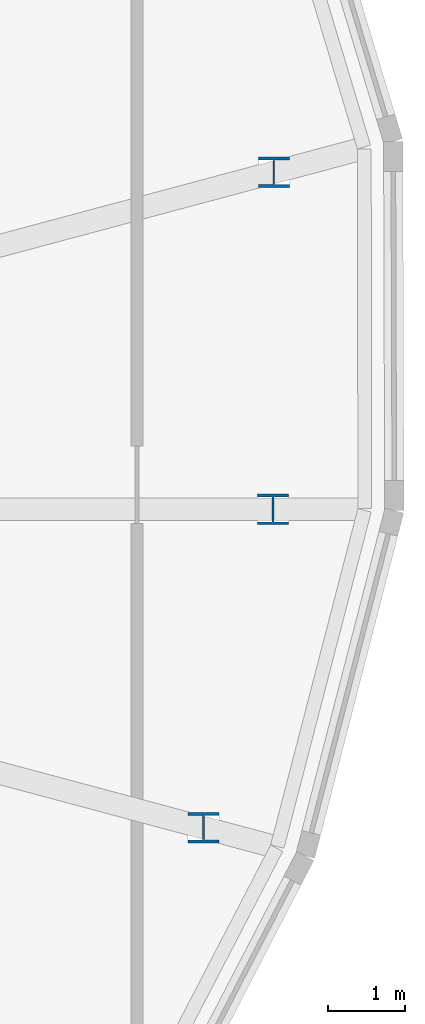
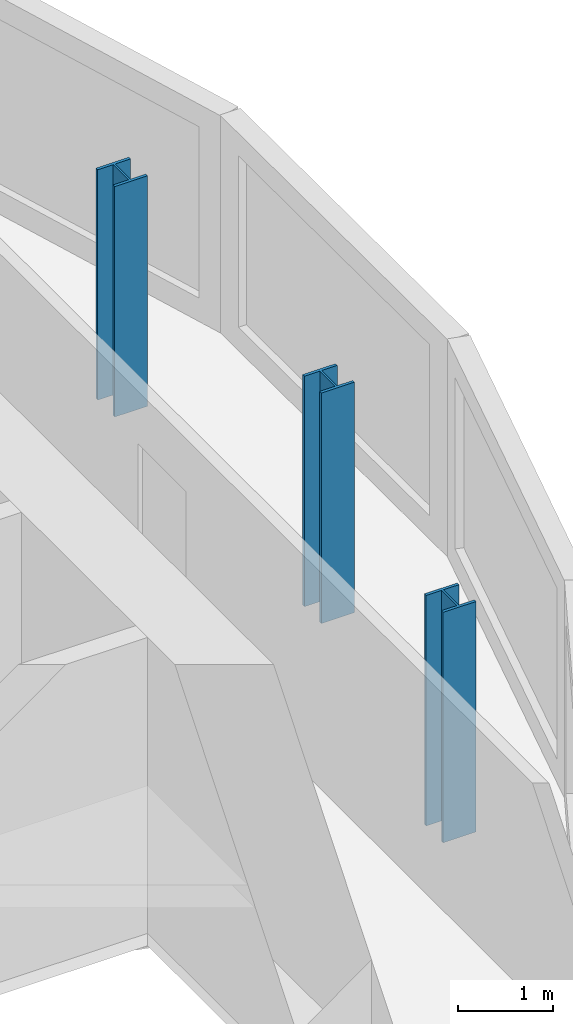
# One storey, part 2 of 36: 3 columns.
"""IFC4 building model written with IfcOpenShell, lengths in metres."""

from ifc_helpers import new_model, si_unit, direction, frame, origin, origin_2d, place, context, subcontext, project, spatial, i_section, extrude, material, material_profile, profile_set, type_object, element, save


model = new_model("IFC4")

# Units and contexts
model_context = context("Model", 3, precision=1e-05, world=origin(), true_north=direction((0.0, 1.0)))
body_context = subcontext(model_context, "Body", "Model", "MODEL_VIEW")
ifc_project = project(units=[si_unit("LENGTHUNIT", "METRE"), si_unit("AREAUNIT", "SQUARE_METRE"), si_unit("VOLUMEUNIT", "CUBIC_METRE"), si_unit("PLANEANGLEUNIT", "RADIAN"), si_unit("MASSUNIT", "GRAM", prefix="KILO")], contexts=[model_context])

# Site, building, storey
site_placement = place(None, origin())
site = spatial("IfcSite", under=ifc_project, at=site_placement, CompositionType="ELEMENT")
building_placement = place(site_placement, origin())
building = spatial("IfcBuilding", under=site, at=building_placement, Name="Rimbun Link Towers", CompositionType="ELEMENT")
storey_placement = place(building_placement, frame((0.0, 0.0, 37.60009765625)))
storey = spatial("IfcBuildingStorey", under=building, at=storey_placement, Name="L08", CompositionType="ELEMENT", Elevation=37.60009765625)

# Columns
ifc_material = material(Name="Steel S355J2", Category="steel")
ifc_material_profile = material_profile(ifc_material, i_section(OverallWidth=0.39892578125, OverallDepth=0.3935546875, WebThickness=0.022705078125, FlangeThickness=0.03662109375, at=origin_2d()), Name="UC 356x406x287")
ifc_profile_set = profile_set([ifc_material_profile], Name="Steel S355J2")
column_type = type_object("IfcColumnType", Name="UC 356x406x287", PredefinedType="COLUMN", material=ifc_profile_set)
for number, where, z_axis, x_axis, name in (
    (1, (47.135986328125, -4.122802734375, -0.16015625), (0.0, 0.0, 1.0), (1.0, 0.0, 0.0), "Crease post T2 L08 20"),
    (2, (48.03759765625, 0.0, -0.16015625), (0.0, 0.0, 1.0), (1.0, 0.0, 0.0), "Crease post T2 L08 21"),
    (3, (48.0478515625, 4.366943359375, -0.16015625), (0.0, 0.0, 1.0), (1.0, 0.0, 0.0), "Crease post T2 L08 22"),
):
    element("IfcColumn", number, at=place(storey_placement, frame(where, z_axis=z_axis, x_axis=x_axis)), inside=storey, type_object=column_type, Name=name, PredefinedType="COLUMN", context=body_context, shape_type="SweptSolid", body=[
        extrude(i_section(OverallWidth=0.39892578125, OverallDepth=0.3935546875, WebThickness=0.022705078125, FlangeThickness=0.03662109375, at=origin_2d()), origin(), (0.0, 0.0, 1.0), 2.95947265625),
    ])

save(model, "model.ifc")
